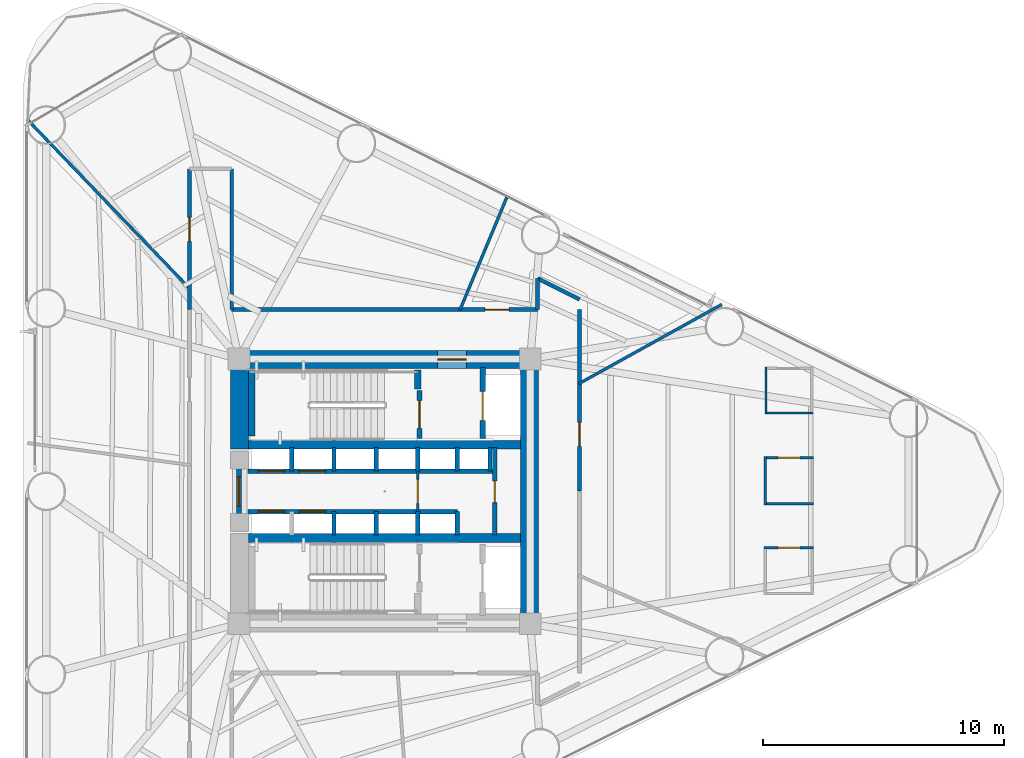
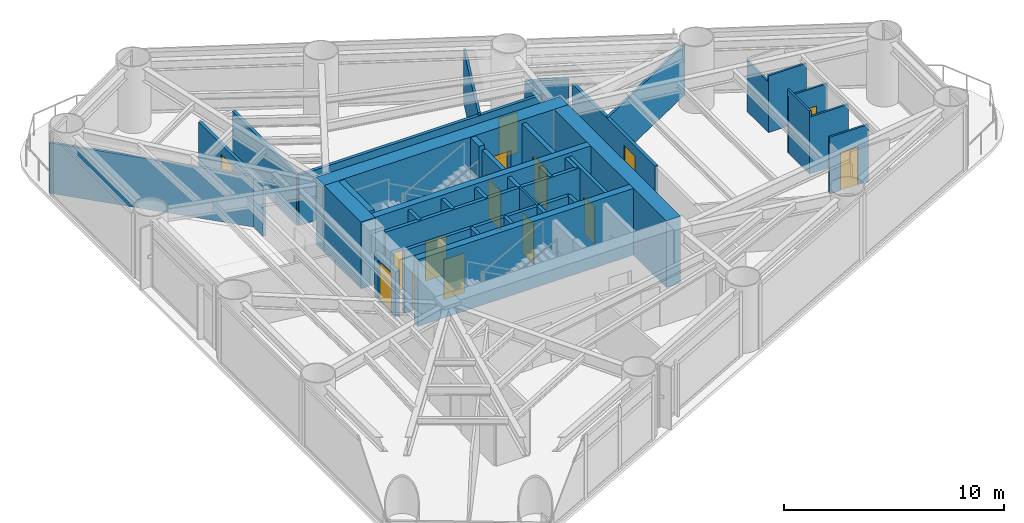
# One storey, part 6 of 10: 39 walls, 15 doors, 15 openings.
"""IFC4 building model written with IfcOpenShell, lengths in metres."""

from ifc_helpers import new_model, si_unit, direction, frame, frame_2d, origin, place, context, subcontext, project, spatial, rectangle, extrude, material, layer, layer_set, type_object, element, fill, save


model = new_model("IFC4")

# Units and contexts
model_context = context("Model", 3, precision=1e-05, world=origin(), true_north=direction((0.0, 1.0)))
body_context = subcontext(model_context, "Body", "Model", "MODEL_VIEW")
ifc_project = project(units=[si_unit("LENGTHUNIT", "METRE"), si_unit("AREAUNIT", "SQUARE_METRE"), si_unit("VOLUMEUNIT", "CUBIC_METRE"), si_unit("PLANEANGLEUNIT", "RADIAN"), si_unit("MASSUNIT", "GRAM", prefix="KILO")], contexts=[model_context])

# Site, building, storey
site_placement = place(None, origin())
site = spatial("IfcSite", under=ifc_project, at=site_placement, CompositionType="ELEMENT")
building_placement = place(site_placement, origin())
building = spatial("IfcBuilding", under=site, at=building_placement, Name="Yunling Apex Tower", CompositionType="ELEMENT")
storey_placement = place(building_placement, frame((0.0, 0.0, 31.199951171875)))
storey = spatial("IfcBuildingStorey", under=building, at=storey_placement, Name="L09", CompositionType="ELEMENT", Elevation=31.199951171875)

# Wall, opening, door
ifc_material_1 = material(Name="Concrete C60", Category="concrete")
ifc_layer_1 = layer(ifc_material_1, 0.75)
ifc_layer_set_1 = layer_set([ifc_layer_1], Name="Concrete C60")
wall_type_1 = type_object("IfcWallType", Name="WL-COR-1", PredefinedType="SHEAR", material=ifc_layer_set_1)
wall_1_placement = place(storey_placement, frame((-6.39990234375, 5.47509765625, 0.0), z_axis=(0.0, 0.0, 1.0), x_axis=(1.0, 0.0, 0.0)))
wall_1 = element("IfcWall", 1, at=wall_1_placement, inside=storey, type_object=wall_type_1, Name="L09 North Core Shear Wall", PredefinedType="SHEAR", context=body_context, shape_type="SweptSolid", body=[
    extrude(rectangle(XDim=12.7998046875, YDim=0.75, at=frame_2d((6.39990234375, 0.0))), origin(), (0.0, 0.0, 1.0), 3.699951171875),
])
opening_1_placement = place(wall_1_placement, frame((8.60009765625, 0.0, 0.0)))
opening_1 = element("IfcOpeningElement", 2, at=opening_1_placement, cuts=wall_1, Name="Opening DR-FFL-1", PredefinedType="OPENING", context=body_context, shape_type="SweptSolid", body=[
    extrude(rectangle(XDim=1.199951171875, YDim=2.199951171875, at=frame_2d((0.60009765625, 1.10009765625))), frame((0.0, 0.385009765625, 0.0), z_axis=(0.0, -1.0, 0.0), x_axis=(1.0, 0.0, 0.0)), (0.0, 0.0, 1.0), 0.77001953125),
])
ifc_material_2 = material(Name="Steel Q355B", Category="steel")
door_type_1 = type_object("IfcDoorType", Name="DR-FFL-1", OperationType="NOTDEFINED", PredefinedType="DOOR", material=ifc_material_2)
door_1_placement = place(opening_1_placement, origin())
door_1 = element("IfcDoor", 3, at=door_1_placement, inside=storey, type_object=door_type_1, Name="L09 North Firefighting Lobby Door", OperationType="SINGLE_SWING_LEFT", OverallHeight=2.199951171875, OverallWidth=1.199951171875, PredefinedType="DOOR", context=body_context, shape_type="SweptSolid", body=[
    extrude(rectangle(XDim=1.199951171875, YDim=2.199951171875, at=frame_2d((0.60009765625, 1.10009765625))), frame((0.0, 0.02490234375, 0.0), z_axis=(0.0, -1.0, 0.0), x_axis=(1.0, 0.0, 0.0)), (0.0, 0.0, 1.0), 0.050048828125),
])
fill(opening_1, door_1)

# Walls
wall_2_placement = place(storey_placement, frame((6.02490234375, -5.10009765625, 0.0), z_axis=(0.0, 0.0, 1.0), x_axis=(0.0, 1.0, 0.0)))
element("IfcWall", 4, at=wall_2_placement, inside=storey, type_object=wall_type_1, Name="L09 East Core Shear Wall", PredefinedType="SHEAR", context=body_context, shape_type="SweptSolid", body=[
    extrude(rectangle(XDim=10.2001953125, YDim=0.75, at=frame_2d((5.10009765625, 0.0))), origin(), (0.0, 0.0, 1.0), 3.699951171875),
])
wall_3_placement = place(storey_placement, frame((-6.02490234375, 1.75, 0.0), z_axis=(0.0, 0.0, 1.0), x_axis=(0.0, 1.0, 0.0)))
element("IfcWall", 5, at=wall_3_placement, inside=storey, type_object=wall_type_1, Name="L09 West-North Core Shear Wall", PredefinedType="SHEAR", context=body_context, shape_type="SweptSolid", body=[
    extrude(rectangle(XDim=3.35009765625, YDim=0.75, at=frame_2d((1.675048828125, 0.0))), origin(), (0.0, 0.0, 1.0), 3.699951171875),
])
ifc_material_3 = material(Name="Concrete C40", Category="concrete")
ifc_layer_2 = layer(ifc_material_3, 0.360107421875)
ifc_layer_set_2 = layer_set([ifc_layer_2], Name="Concrete C40")
wall_type_2 = type_object("IfcWallType", Name="WL-COR-4", PredefinedType="SHEAR", material=ifc_layer_set_2)
for number, where, z_axis, x_axis, name in (
    (6, (-5.64990234375, 1.93994140625, 0.0), (0.0, 0.0, 1.0), (1.0, 0.0, 0.0), "L09 North Internal Core Shear Wall"),
    (7, (-5.64990234375, -1.93994140625, 0.0), (0.0, 0.0, 1.0), (1.0, 0.0, 0.0), "L09 South Internal Core Shear Wall"),
):
    element("IfcWall", number, at=place(storey_placement, frame(where, z_axis=z_axis, x_axis=x_axis)), inside=storey, type_object=wall_type_2, Name=name, PredefinedType="SHEAR", context=body_context, shape_type="SweptSolid", body=[
        extrude(rectangle(XDim=11.2998046875, YDim=0.360107421875, at=frame_2d((5.64990234375, 0.0))), origin(), (0.0, 0.0, 1.0), 3.699951171875),
    ])
ifc_layer_3 = layer(ifc_material_3, 0.280029296875)
ifc_layer_set_3 = layer_set([ifc_layer_3], Name="Concrete C40")
wall_type_3 = type_object("IfcWallType", Name="WL-COR-8", PredefinedType="SHEAR", material=ifc_layer_set_3)
wall_4_placement = place(storey_placement, frame((-5.52001953125, 2.300048828125, 0.0), z_axis=(0.0, 0.0, 1.0), x_axis=(0.0, 1.0, 0.0)))
element("IfcWall", 8, at=wall_4_placement, inside=storey, type_object=wall_type_3, Name="L09 ST-1 West Landing Bearing Wall", PredefinedType="SHEAR", context=body_context, shape_type="SweptSolid", body=[
    extrude(rectangle(XDim=2.75, YDim=0.280029296875, at=frame_2d((1.375, 0.0))), origin(), (0.0, 0.0, 1.0), 3.699951171875),
])
wall_5_placement = place(storey_placement, frame((1.3798828125, 4.25, 0.0), z_axis=(0.0, 0.0, 1.0), x_axis=(0.0, 1.0, 0.0)))
element("IfcWall", 9, at=wall_5_placement, inside=storey, type_object=wall_type_3, Name="L09 ST-1 East Landing Bearing Pier", PredefinedType="SHEAR", context=body_context, shape_type="SweptSolid", body=[
    extrude(rectangle(XDim=0.800048828125, YDim=0.280029296875, at=frame_2d((0.39990234375, 0.0))), origin(), (0.0, 0.0, 1.0), 3.699951171875),
])

# Wall, opening, door
ifc_material_4 = material(Name="Gypsum board acoustic partition")
ifc_layer_4 = layer(ifc_material_4, 0.159912109375)
ifc_layer_set_4 = layer_set([ifc_layer_4], Name="Gypsum board acoustic partition")
wall_type_4 = type_object("IfcWallType", Name="WL-PRT-1", PredefinedType="PARTITIONING", material=ifc_layer_set_4)
wall_6_placement = place(storey_placement, frame((-8.10009765625, 7.550048828125, 0.0), z_axis=(0.0, 0.0, 1.0), x_axis=(0.0, 1.0, 0.0)))
wall_6 = element("IfcWall", 10, at=wall_6_placement, inside=storey, type_object=wall_type_4, Name="WL-CORR-L09-06", PredefinedType="PARTITIONING", context=body_context, shape_type="SweptSolid", body=[
    extrude(rectangle(XDim=5.849853515625, YDim=0.159912109375, at=frame_2d((2.9248046875, 0.0))), origin(), (0.0, 0.0, 1.0), 2.800048828125),
])
opening_2_placement = place(wall_6_placement, frame((2.830078125, 0.0, 0.0)))
opening_2 = element("IfcOpeningElement", 11, at=opening_2_placement, cuts=wall_6, Name="Opening DR-OFF-1", PredefinedType="OPENING", context=body_context, shape_type="SweptSolid", body=[
    extrude(rectangle(XDim=1.0, YDim=2.25, at=frame_2d((0.5, 1.125))), frame((0.0, 0.08984375, 0.0), z_axis=(0.0, -1.0, 0.0), x_axis=(1.0, 0.0, 0.0)), (0.0, 0.0, 1.0), 0.179931640625),
])
ifc_material_5 = material(Name="Bronze anodised aluminium", Category="aluminium")
door_type_2 = type_object("IfcDoorType", Name="DR-OFF-1", OperationType="NOTDEFINED", PredefinedType="DOOR", material=ifc_material_5)
door_2_placement = place(opening_2_placement, origin())
door_2 = element("IfcDoor", 12, at=door_2_placement, inside=storey, type_object=door_type_2, Name="L09 Staff Fitness Club Door", OperationType="SINGLE_SWING_RIGHT", OverallHeight=2.25, OverallWidth=1.0, PredefinedType="DOOR", context=body_context, shape_type="SweptSolid", body=[
    extrude(rectangle(XDim=1.0, YDim=2.25, at=frame_2d((0.5, 1.125))), frame((0.0, 0.02490234375, 0.0), z_axis=(0.0, -1.0, 0.0), x_axis=(1.0, 0.0, 0.0)), (0.0, 0.0, 1.0), 0.050048828125),
])
fill(opening_2, door_2)

# Wall
wall_7_placement = place(storey_placement, frame((-6.35009765625, 13.39990234375, 0.0), z_axis=(0.0, 0.0, 1.0), x_axis=(0.0, -1.0, 0.0)))
element("IfcWall", 13, at=wall_7_placement, inside=storey, type_object=wall_type_4, Name="WL-CORR-L09-08", PredefinedType="PARTITIONING", context=body_context, shape_type="SweptSolid", body=[
    extrude(rectangle(XDim=5.849853515625, YDim=0.159912109375, at=frame_2d((2.9248046875, 0.0))), origin(), (0.0, 0.0, 1.0), 2.800048828125),
])

# Wall, opening, door
wall_8_placement = place(storey_placement, frame((-6.35009765625, 7.550048828125, 0.0), z_axis=(0.0, 0.0, 1.0), x_axis=(1.0, 0.0, 0.0)))
wall_8 = element("IfcWall", 14, at=wall_8_placement, inside=storey, type_object=wall_type_4, Name="WL-CORR-L09-09", PredefinedType="PARTITIONING", context=body_context, shape_type="SweptSolid", body=[
    extrude(rectangle(XDim=12.7001953125, YDim=0.159912109375, at=frame_2d((6.35009765625, 0.0))), origin(), (0.0, 0.0, 1.0), 2.800048828125),
])
opening_3_placement = place(wall_8_placement, frame((10.52001953125, 0.0, 0.0)))
opening_3 = element("IfcOpeningElement", 15, at=opening_3_placement, cuts=wall_8, Name="Opening DR-OFF-1", PredefinedType="OPENING", context=body_context, shape_type="SweptSolid", body=[
    extrude(rectangle(XDim=1.0, YDim=2.25, at=frame_2d((0.5, 1.125))), frame((0.0, 0.08984375, 0.0), z_axis=(0.0, -1.0, 0.0), x_axis=(1.0, 0.0, 0.0)), (0.0, 0.0, 1.0), 0.179931640625),
])
door_3_placement = place(opening_3_placement, origin())
door_3 = element("IfcDoor", 16, at=door_3_placement, inside=storey, type_object=door_type_2, Name="L09 Document Archive Store Door", OperationType="SINGLE_SWING_LEFT", OverallHeight=2.25, OverallWidth=1.0, PredefinedType="DOOR", context=body_context, shape_type="SweptSolid", body=[
    extrude(rectangle(XDim=1.0, YDim=2.25, at=frame_2d((0.5, 1.125))), frame((0.0, 0.02490234375, 0.0), z_axis=(0.0, -1.0, 0.0), x_axis=(1.0, 0.0, 0.0)), (0.0, 0.0, 1.0), 0.050048828125),
])
fill(opening_3, door_3)

# Walls
wall_9_placement = place(storey_placement, frame((6.35009765625, 7.550048828125, 0.0), z_axis=(0.0, 0.0, 1.0), x_axis=(0.0, 1.0, 0.0)))
element("IfcWall", 17, at=wall_9_placement, inside=storey, type_object=wall_type_4, Name="WL-CORR-L09-10", PredefinedType="PARTITIONING", context=body_context, shape_type="SweptSolid", body=[
    extrude(rectangle(XDim=1.296142578125, YDim=0.159912109375, at=frame_2d((0.64794921875, 0.0))), origin(), (0.0, 0.0, 1.0), 2.800048828125),
])
wall_10_placement = place(storey_placement, frame((6.35009765625, 8.84619140625, 0.0), z_axis=(0.0, 0.0, 1.0), x_axis=(0.89527489017, -0.445514164793, 0.0)))
element("IfcWall", 18, at=wall_10_placement, inside=storey, type_object=wall_type_4, Name="WL-CORR-L09-11", PredefinedType="PARTITIONING", context=body_context, shape_type="SweptSolid", body=[
    extrude(rectangle(XDim=1.95458984375, YDim=0.159912109375, at=frame_2d((0.977294921875, 0.0))), origin(), (0.0, 0.0, 1.0), 2.800048828125),
])

# Wall, opening, door
wall_11_placement = place(storey_placement, frame((8.10009765625, 7.550048828125, 0.0), z_axis=(0.0, 0.0, 1.0), x_axis=(0.0, -1.0, 0.0)))
wall_11 = element("IfcWall", 19, at=wall_11_placement, inside=storey, type_object=wall_type_4, Name="WL-CORR-L09-13", PredefinedType="PARTITIONING", context=body_context, shape_type="SweptSolid", body=[
    extrude(rectangle(XDim=7.530029296875, YDim=0.159912109375, at=frame_2d((3.76513671875, 0.0))), origin(), (0.0, 0.0, 1.0), 2.800048828125),
])
opening_4_placement = place(wall_11_placement, frame((4.6806640625, 0.0, 0.0)))
opening_4 = element("IfcOpeningElement", 20, at=opening_4_placement, cuts=wall_11, Name="Opening DR-OFF-1", PredefinedType="OPENING", context=body_context, shape_type="SweptSolid", body=[
    extrude(rectangle(XDim=1.0, YDim=2.25, at=frame_2d((0.5, 1.125))), frame((0.0, 0.08984375, 0.0), z_axis=(0.0, -1.0, 0.0), x_axis=(1.0, 0.0, 0.0)), (0.0, 0.0, 1.0), 0.179931640625),
])
door_4_placement = place(opening_4_placement, origin())
door_4 = element("IfcDoor", 21, at=door_4_placement, inside=storey, type_object=door_type_2, Name="L09 Service Foyer Lounge Door", OperationType="SINGLE_SWING_RIGHT", OverallHeight=2.25, OverallWidth=1.0, PredefinedType="DOOR", context=body_context, shape_type="SweptSolid", body=[
    extrude(rectangle(XDim=1.0, YDim=2.25, at=frame_2d((0.5, 1.125))), frame((0.0, 0.02490234375, 0.0), z_axis=(0.0, -1.0, 0.0), x_axis=(1.0, 0.0, 0.0)), (0.0, 0.0, 1.0), 0.050048828125),
])
fill(opening_4, door_4)

# Walls
ifc_layer_5 = layer(ifc_material_4, 0.1201171875)
ifc_layer_set_5 = layer_set([ifc_layer_5], Name="Gypsum board acoustic partition")
wall_type_5 = type_object("IfcWallType", Name="WL-PRT-3", PredefinedType="PARTITIONING", material=ifc_layer_set_5)
wall_12_placement = place(storey_placement, frame((8.06005859375, 4.4677734375, 0.0), z_axis=(0.0, 0.0, 1.0), x_axis=(0.874622878111, 0.484803899618, 0.0)))
element("IfcWall", 22, at=wall_12_placement, inside=storey, type_object=wall_type_5, Name="WL-RAD-L09-01", PredefinedType="PARTITIONING", context=body_context, shape_type="SweptSolid", body=[
    extrude(rectangle(XDim=6.7958984375, YDim=0.1201171875, at=frame_2d((3.39794921875, 0.0))), origin(), (0.0, 0.0, 1.0), 2.800048828125),
])
wall_13_placement = place(storey_placement, frame((3.12158203125, 7.510009765625, 0.0), z_axis=(0.0, 0.0, 1.0), x_axis=(0.383885926118, 0.923380525963, 0.0)))
element("IfcWall", 23, at=wall_13_placement, inside=storey, type_object=wall_type_5, Name="WL-RAD-L09-02", PredefinedType="PARTITIONING", context=body_context, shape_type="SweptSolid", body=[
    extrude(rectangle(XDim=5.08642578125, YDim=0.1201171875, at=frame_2d((2.543212890625, 0.0))), origin(), (0.0, 0.0, 1.0), 2.9599609375),
])
wall_14_placement = place(storey_placement, frame((-8.06005859375, 8.38818359375, 0.0), z_axis=(0.0, 0.0, 1.0), x_axis=(-0.692869708489, 0.721062803823, 0.0)))
element("IfcWall", 24, at=wall_14_placement, inside=storey, type_object=wall_type_5, Name="WL-RAD-L09-03", PredefinedType="PARTITIONING", context=body_context, shape_type="SweptSolid", body=[
    extrude(rectangle(XDim=9.75927734375, YDim=0.1201171875, at=frame_2d((4.879638671875, 0.0))), origin(), (0.0, 0.0, 1.0), 2.800048828125),
])

# Wall, opening, door
ifc_layer_6 = layer(ifc_material_4, 0.10009765625)
ifc_layer_set_6 = layer_set([ifc_layer_6], Name="Gypsum board acoustic partition")
wall_type_6 = type_object("IfcWallType", Name="WL-PRT-4", PredefinedType="PARTITIONING", material=ifc_layer_set_6)
wall_15_placement = place(storey_placement, frame((1.3798828125, -0.840087890625, 0.0), z_axis=(0.0, 0.0, 1.0), x_axis=(0.0, 1.0, 0.0)))
wall_15 = element("IfcWall", 25, at=wall_15_placement, inside=storey, type_object=wall_type_6, Name="WL-LOB-MID-L09", PredefinedType="PARTITIONING", context=body_context, shape_type="SweptSolid", body=[
    extrude(rectangle(XDim=1.68017578125, YDim=0.10009765625, at=frame_2d((0.840087890625, 0.0))), origin(), (0.0, 0.0, 1.0), 3.4951171875),
])
opening_5_placement = place(wall_15_placement, frame((0.340087890625, 0.0, 0.0)))
opening_5 = element("IfcOpeningElement", 26, at=opening_5_placement, cuts=wall_15, Name="Opening DR-OFF-1", PredefinedType="OPENING", context=body_context, shape_type="SweptSolid", body=[
    extrude(rectangle(XDim=1.0, YDim=2.25, at=frame_2d((0.5, 1.125))), frame((0.0, 0.06005859375, 0.0), z_axis=(0.0, -1.0, 0.0), x_axis=(1.0, 0.0, 0.0)), (0.0, 0.0, 1.0), 0.1201171875),
])
door_5_placement = place(opening_5_placement, origin())
door_5 = element("IfcDoor", 27, at=door_5_placement, inside=storey, type_object=door_type_2, Name="L09 Core Lobby Link Door", OperationType="SINGLE_SWING_LEFT", OverallHeight=2.25, OverallWidth=1.0, PredefinedType="DOOR", context=body_context, shape_type="SweptSolid", body=[
    extrude(rectangle(XDim=1.0, YDim=2.25, at=frame_2d((0.5, 1.125))), frame((0.0, 0.02490234375, 0.0), z_axis=(0.0, -1.0, 0.0), x_axis=(1.0, 0.0, 0.0)), (0.0, 0.0, 1.0), 0.050048828125),
])
fill(opening_5, door_5)

wall_16_placement = place(storey_placement, frame((15.77001953125, 1.39306640625, 0.0), z_axis=(0.0, 0.0, 1.0), x_axis=(1.0, 0.0, 0.0)))
wall_16 = element("IfcWall", 28, at=wall_16_placement, inside=storey, type_object=wall_type_6, Name="WL-L09-WCMN", PredefinedType="PARTITIONING", context=body_context, shape_type="SweptSolid", body=[
    extrude(rectangle(XDim=2.050048828125, YDim=0.10009765625, at=frame_2d((1.02490234375, 0.0))), origin(), (0.0, 0.0, 1.0), 3.150146484375),
])
opening_6_placement = place(wall_16_placement, frame((0.56494140625, 0.0, 0.0)))
opening_6 = element("IfcOpeningElement", 29, at=opening_6_placement, cuts=wall_16, Name="Opening DR-WC-1", PredefinedType="OPENING", context=body_context, shape_type="SweptSolid", body=[
    extrude(rectangle(XDim=0.919921875, YDim=2.10009765625, at=frame_2d((0.4599609375, 1.050048828125))), frame((0.0, 0.06005859375, 0.0), z_axis=(0.0, -1.0, 0.0), x_axis=(1.0, 0.0, 0.0)), (0.0, 0.0, 1.0), 0.1201171875),
])
ifc_material_6 = material(Name="Timber moisture-resistant leaf", Category="wood")
door_type_3 = type_object("IfcDoorType", Name="DR-WC-1", OperationType="NOTDEFINED", PredefinedType="DOOR", material=ifc_material_6)
door_6_placement = place(opening_6_placement, origin())
door_6 = element("IfcDoor", 30, at=door_6_placement, inside=storey, type_object=door_type_3, Name="L09 Male Toilet Door", OperationType="SINGLE_SWING_LEFT", OverallHeight=2.10009765625, OverallWidth=0.919921875, PredefinedType="DOOR", context=body_context, shape_type="SweptSolid", body=[
    extrude(rectangle(XDim=0.919921875, YDim=2.10009765625, at=frame_2d((0.4599609375, 1.050048828125))), frame((0.0, 0.02490234375, 0.0), z_axis=(0.0, -1.0, 0.0), x_axis=(1.0, 0.0, 0.0)), (0.0, 0.0, 1.0), 0.050048828125),
])
fill(opening_6, door_6)

# Walls
wall_17_placement = place(storey_placement, frame((17.820068359375, -0.507080078125, 0.0), z_axis=(0.0, 0.0, 1.0), x_axis=(-1.0, 0.0, 0.0)))
element("IfcWall", 31, at=wall_17_placement, inside=storey, type_object=wall_type_6, Name="WL-L09-WCMS", PredefinedType="PARTITIONING", context=body_context, shape_type="SweptSolid", body=[
    extrude(rectangle(XDim=2.050048828125, YDim=0.10009765625, at=frame_2d((1.02490234375, 0.0))), origin(), (0.0, 0.0, 1.0), 3.150146484375),
])
wall_18_placement = place(storey_placement, frame((15.820068359375, -0.556884765625, 0.0), z_axis=(0.0, 0.0, 1.0), x_axis=(0.0, 1.0, 0.0)))
element("IfcWall", 32, at=wall_18_placement, inside=storey, type_object=wall_type_6, Name="WL-L09-WCMW", PredefinedType="PARTITIONING", context=body_context, shape_type="SweptSolid", body=[
    extrude(rectangle(XDim=2.0, YDim=0.10009765625, at=frame_2d((1.0, 0.0))), origin(), (0.0, 0.0, 1.0), 3.4951171875),
])

# Wall, opening, door
wall_19_placement = place(storey_placement, frame((15.77001953125, -2.343994140625, 0.0), z_axis=(0.0, 0.0, 1.0), x_axis=(1.0, 0.0, 0.0)))
wall_19 = element("IfcWall", 33, at=wall_19_placement, inside=storey, type_object=wall_type_6, Name="WL-L09-WCFN", PredefinedType="PARTITIONING", context=body_context, shape_type="SweptSolid", body=[
    extrude(rectangle(XDim=2.050048828125, YDim=0.10009765625, at=frame_2d((1.02490234375, 0.0))), origin(), (0.0, 0.0, 1.0), 3.150146484375),
])
opening_7_placement = place(wall_19_placement, frame((0.56494140625, 0.0, 0.0)))
opening_7 = element("IfcOpeningElement", 34, at=opening_7_placement, cuts=wall_19, Name="Opening DR-WC-1", PredefinedType="OPENING", context=body_context, shape_type="SweptSolid", body=[
    extrude(rectangle(XDim=0.919921875, YDim=2.10009765625, at=frame_2d((0.4599609375, 1.050048828125))), frame((0.0, 0.06005859375, 0.0), z_axis=(0.0, -1.0, 0.0), x_axis=(1.0, 0.0, 0.0)), (0.0, 0.0, 1.0), 0.1201171875),
])
door_7_placement = place(opening_7_placement, origin())
door_7 = element("IfcDoor", 35, at=door_7_placement, inside=storey, type_object=door_type_3, Name="L09 Female Toilet Door", OperationType="SINGLE_SWING_RIGHT", OverallHeight=2.10009765625, OverallWidth=0.919921875, PredefinedType="DOOR", context=body_context, shape_type="SweptSolid", body=[
    extrude(rectangle(XDim=0.919921875, YDim=2.10009765625, at=frame_2d((0.4599609375, 1.050048828125))), frame((0.0, 0.02490234375, 0.0), z_axis=(0.0, -1.0, 0.0), x_axis=(1.0, 0.0, 0.0)), (0.0, 0.0, 1.0), 0.050048828125),
])
fill(opening_7, door_7)

# Walls
wall_20_placement = place(storey_placement, frame((17.794921875, 3.256103515625, 0.0), z_axis=(0.0, 0.0, 1.0), x_axis=(-1.0, 0.0, 0.0)))
element("IfcWall", 36, at=wall_20_placement, inside=storey, type_object=wall_type_6, Name="WL-L09-WCAS", PredefinedType="PARTITIONING", context=body_context, shape_type="SweptSolid", body=[
    extrude(rectangle(XDim=2.0, YDim=0.10009765625, at=frame_2d((1.0, 0.0))), origin(), (0.0, 0.0, 1.0), 3.150146484375),
])
wall_21_placement = place(storey_placement, frame((15.844970703125, 3.2060546875, 0.0), z_axis=(0.0, 0.0, 1.0), x_axis=(0.0, 1.0, 0.0)))
element("IfcWall", 37, at=wall_21_placement, inside=storey, type_object=wall_type_6, Name="WL-L09-WCAW", PredefinedType="PARTITIONING", context=body_context, shape_type="SweptSolid", body=[
    extrude(rectangle(XDim=1.949951171875, YDim=0.10009765625, at=frame_2d((0.97509765625, 0.0))), origin(), (0.0, 0.0, 1.0), 2.800048828125),
])

# Wall, opening, door
ifc_material_7 = material(Name="Autoclaved aerated concrete masonry", Category="masonry")
ifc_layer_7 = layer(ifc_material_7, 0.219970703125)
ifc_layer_set_7 = layer_set([ifc_layer_7], Name="Autoclaved aerated concrete masonry")
wall_type_7 = type_object("IfcWallType", Name="WL-SHF-1", PredefinedType="PLUMBINGWALL", material=ifc_layer_set_7)
wall_22_placement = place(storey_placement, frame((-6.050048828125, -0.949951171875, 0.0), z_axis=(0.0, 0.0, 1.0), x_axis=(0.0, 1.0, 0.0)))
wall_22 = element("IfcWall", 38, at=wall_22_placement, inside=storey, type_object=wall_type_7, Name="WL-COR-WPORT-L09", PredefinedType="PLUMBINGWALL", context=body_context, shape_type="SweptSolid", body=[
    extrude(rectangle(XDim=1.89990234375, YDim=0.219970703125, at=frame_2d((0.949951171875, 0.0))), origin(), (0.0, 0.0, 1.0), 2.47509765625),
])
opening_8_placement = place(wall_22_placement, frame((0.35009765625, 0.0, 0.0)))
opening_8 = element("IfcOpeningElement", 39, at=opening_8_placement, cuts=wall_22, Name="Opening DR-FFL-1", PredefinedType="OPENING", context=body_context, shape_type="SweptSolid", body=[
    extrude(rectangle(XDim=1.199951171875, YDim=2.199951171875, at=frame_2d((0.60009765625, 1.10009765625))), frame((0.0, 0.1201171875, 0.0), z_axis=(0.0, -1.0, 0.0), x_axis=(1.0, 0.0, 0.0)), (0.0, 0.0, 1.0), 0.239990234375),
])
door_8_placement = place(opening_8_placement, origin())
door_8 = element("IfcDoor", 40, at=door_8_placement, inside=storey, type_object=door_type_1, Name="L09 Passenger Lift Lobby Entrance Door", OperationType="SINGLE_SWING_LEFT", OverallHeight=2.199951171875, OverallWidth=1.199951171875, PredefinedType="DOOR", context=body_context, shape_type="SweptSolid", body=[
    extrude(rectangle(XDim=1.199951171875, YDim=2.199951171875, at=frame_2d((0.60009765625, 1.10009765625))), frame((0.0, 0.02490234375, 0.0), z_axis=(0.0, -1.0, 0.0), x_axis=(1.0, 0.0, 0.0)), (0.0, 0.0, 1.0), 0.050048828125),
])
fill(opening_8, door_8)

wall_23_placement = place(storey_placement, frame((1.449951171875, 2.199951171875, 0.0), z_axis=(0.0, 0.0, 1.0), x_axis=(0.0, 1.0, 0.0)))
wall_23 = element("IfcWall", 41, at=wall_23_placement, inside=storey, type_object=wall_type_7, Name="WL-ST1-E-L09", PredefinedType="PLUMBINGWALL", context=body_context, shape_type="SweptSolid", body=[
    extrude(rectangle(XDim=1.97998046875, YDim=0.219970703125, at=frame_2d((0.989990234375, 0.0))), origin(), (0.0, 0.0, 1.0), 3.4951171875),
])
opening_9_placement = place(wall_23_placement, frame((0.419921875, 0.0, 0.0)))
opening_9 = element("IfcOpeningElement", 42, at=opening_9_placement, cuts=wall_23, Name="Opening DR-ST-1", PredefinedType="OPENING", context=body_context, shape_type="SweptSolid", body=[
    extrude(rectangle(XDim=1.14990234375, YDim=2.14990234375, at=frame_2d((0.574951171875, 1.074951171875))), frame((0.0, 0.1201171875, 0.0), z_axis=(0.0, -1.0, 0.0), x_axis=(1.0, 0.0, 0.0)), (0.0, 0.0, 1.0), 0.239990234375),
])
door_type_4 = type_object("IfcDoorType", Name="DR-ST-1", OperationType="NOTDEFINED", PredefinedType="DOOR", material=ifc_material_2)
door_9_placement = place(opening_9_placement, origin())
door_9 = element("IfcDoor", 43, at=door_9_placement, inside=storey, type_object=door_type_4, Name="L09 Stair ST-1 Fire Door", OperationType="SINGLE_SWING_LEFT", OverallHeight=2.14990234375, OverallWidth=1.14990234375, PredefinedType="DOOR", context=body_context, shape_type="SweptSolid", body=[
    extrude(rectangle(XDim=1.14990234375, YDim=2.14990234375, at=frame_2d((0.574951171875, 1.074951171875))), frame((0.0, 0.02490234375, 0.0), z_axis=(0.0, -1.0, 0.0), x_axis=(1.0, 0.0, 0.0)), (0.0, 0.0, 1.0), 0.050048828125),
])
fill(opening_9, door_9)

wall_24_placement = place(storey_placement, frame((4.080078125, 2.199951171875, 0.0), z_axis=(0.0, 0.0, 1.0), x_axis=(0.0, 1.0, 0.0)))
wall_24 = element("IfcWall", 44, at=wall_24_placement, inside=storey, type_object=wall_type_7, Name="WL-FFL1-W-L09", PredefinedType="PLUMBINGWALL", context=body_context, shape_type="SweptSolid", body=[
    extrude(rectangle(XDim=2.949951171875, YDim=0.219970703125, at=frame_2d((1.47509765625, 0.0))), origin(), (0.0, 0.0, 1.0), 3.4951171875),
])
opening_10_placement = place(wall_24_placement, frame((0.75, 0.0, 0.0)))
opening_10 = element("IfcOpeningElement", 45, at=opening_10_placement, cuts=wall_24, Name="Opening LD-FFL-1", PredefinedType="OPENING", context=body_context, shape_type="SweptSolid", body=[
    extrude(rectangle(XDim=1.199951171875, YDim=2.25, at=frame_2d((0.60009765625, 1.125))), frame((0.0, 0.1201171875, 0.0), z_axis=(0.0, -1.0, 0.0), x_axis=(1.0, 0.0, 0.0)), (0.0, 0.0, 1.0), 0.239990234375),
])
door_type_5 = type_object("IfcDoorType", Name="LD-FFL-1", OperationType="DOUBLE_DOOR_SLIDING", PredefinedType="DOOR", material=ifc_material_2)
door_10_placement = place(opening_10_placement, origin())
door_10 = element("IfcDoor", 46, at=door_10_placement, inside=storey, type_object=door_type_5, Name="L09 Lift FFL-1 Landing Door", OperationType="DOUBLE_DOOR_SLIDING", OverallHeight=2.25, OverallWidth=1.199951171875, PredefinedType="DOOR", context=body_context, shape_type="SweptSolid", body=[
    extrude(rectangle(XDim=1.199951171875, YDim=2.25, at=frame_2d((0.60009765625, 1.125))), frame((0.0, 0.02490234375, 0.0), z_axis=(0.0, -1.0, 0.0), x_axis=(1.0, 0.0, 0.0)), (0.0, 0.0, 1.0), 0.050048828125),
])
fill(opening_10, door_10)

# Walls
ifc_layer_8 = layer(ifc_material_7, 0.179931640625)
ifc_layer_set_8 = layer_set([ifc_layer_8], Name="Autoclaved aerated concrete masonry")
wall_type_8 = type_object("IfcWallType", Name="WL-SHF-2", PredefinedType="PLUMBINGWALL", material=ifc_layer_set_8)
for number, where, z_axis, x_axis, name in (
    (47, (-3.85009765625, 0.840087890625, 0.0), (0.0, 0.0, 1.0), (0.0, 1.0, 0.0), "WL-DIV-L12-L09"),
    (48, (-2.10009765625, 0.840087890625, 0.0), (0.0, 0.0, 1.0), (0.0, 1.0, 0.0), "WL-BNK-LM-N-L09"),
    (49, (-2.10009765625, -1.820068359375, 0.0), (0.0, 0.0, 1.0), (0.0, 1.0, 0.0), "WL-BNK-LM-S-L09"),
    (50, (-0.35009765625, 0.840087890625, 0.0), (0.0, 0.0, 1.0), (0.0, 1.0, 0.0), "WL-DIV-M12-L09"),
    (51, (-0.35009765625, -1.820068359375, 0.0), (0.0, 0.0, 1.0), (0.0, 1.0, 0.0), "WL-DIV-M34-L09"),
    (52, (1.3798828125, 0.840087890625, 0.0), (0.0, 0.0, 1.0), (0.0, 1.0, 0.0), "WL-BNK-MH-N-L09"),
    (53, (1.3798828125, -1.820068359375, 0.0), (0.0, 0.0, 1.0), (0.0, 1.0, 0.0), "WL-BNK-MH-S-L09"),
    (54, (3.02001953125, 0.840087890625, 0.0), (0.0, 0.0, 1.0), (0.0, 1.0, 0.0), "WL-DIV-H13-L09"),
    (55, (4.3798828125, 0.840087890625, 0.0), (0.0, 0.0, 1.0), (0.0, 1.0, 0.0), "WL-END-H3E-L09"),
    (56, (3.02001953125, -1.820068359375, 0.0), (0.0, 0.0, 1.0), (0.0, 1.0, 0.0), "WL-END-H2E-L09"),
):
    element("IfcWall", number, at=place(storey_placement, frame(where, z_axis=z_axis, x_axis=x_axis)), inside=storey, type_object=wall_type_8, Name=name, PredefinedType="PLUMBINGWALL", context=body_context, shape_type="SweptSolid", body=[
        extrude(rectangle(XDim=0.97998046875, YDim=0.179931640625, at=frame_2d((0.489990234375, 0.0))), origin(), (0.0, 0.0, 1.0), 3.4951171875),
    ])

# Wall, opening, door
wall_25_placement = place(storey_placement, frame((4.580078125, -1.820068359375, 0.0), z_axis=(0.0, 0.0, 1.0), x_axis=(0.0, 1.0, 0.0)))
wall_25 = element("IfcWall", 57, at=wall_25_placement, inside=storey, type_object=wall_type_8, Name="WL-KBE-W-L09", PredefinedType="PLUMBINGWALL", context=body_context, shape_type="SweptSolid", body=[
    extrude(rectangle(XDim=3.64013671875, YDim=0.179931640625, at=frame_2d((1.820068359375, 0.0))), origin(), (0.0, 0.0, 1.0), 3.4951171875),
])
opening_11_placement = place(wall_25_placement, frame((1.35009765625, 0.0, 0.0)))
opening_11 = element("IfcOpeningElement", 58, at=opening_11_placement, cuts=wall_25, Name="Opening DR-SHF-1", PredefinedType="OPENING", context=body_context, shape_type="SweptSolid", body=[
    extrude(rectangle(XDim=0.89990234375, YDim=2.050048828125, at=frame_2d((0.449951171875, 1.02490234375))), frame((0.0, 0.10009765625, 0.0), z_axis=(0.0, -1.0, 0.0), x_axis=(1.0, 0.0, 0.0)), (0.0, 0.0, 1.0), 0.199951171875),
])
door_type_6 = type_object("IfcDoorType", Name="DR-SHF-1", OperationType="NOTDEFINED", PredefinedType="DOOR", material=ifc_material_2)
door_11_placement = place(opening_11_placement, origin())
door_11 = element("IfcDoor", 59, at=door_11_placement, inside=storey, type_object=door_type_6, Name="L09 Core Meter Room Door", OperationType="SINGLE_SWING_RIGHT", OverallHeight=2.050048828125, OverallWidth=0.89990234375, PredefinedType="DOOR", context=body_context, shape_type="SweptSolid", body=[
    extrude(rectangle(XDim=0.89990234375, YDim=2.050048828125, at=frame_2d((0.449951171875, 1.02490234375))), frame((0.0, 0.02490234375, 0.0), z_axis=(0.0, -1.0, 0.0), x_axis=(1.0, 0.0, 0.0)), (0.0, 0.0, 1.0), 0.050048828125),
])
fill(opening_11, door_11)

# Wall, openings, doors
wall_26_placement = place(storey_placement, frame((-5.679931640625, 0.840087890625, 0.0), z_axis=(0.0, 0.0, 1.0), x_axis=(1.0, 0.0, 0.0)))
wall_26 = element("IfcWall", 60, at=wall_26_placement, inside=storey, type_object=wall_type_8, Name="WL-LOB-N-L09", PredefinedType="PLUMBINGWALL", context=body_context, shape_type="SweptSolid", body=[
    extrude(rectangle(XDim=10.260009765625, YDim=0.179931640625, at=frame_2d((5.1298828125, 0.0))), origin(), (0.0, 0.0, 1.0), 3.4951171875),
])
opening_12_placement = place(wall_26_placement, frame((0.429931640625, 0.0, 0.0)))
opening_12 = element("IfcOpeningElement", 61, at=opening_12_placement, cuts=wall_26, Name="Opening LD-PAS-1", PredefinedType="OPENING", context=body_context, shape_type="SweptSolid", body=[
    extrude(rectangle(XDim=1.10009765625, YDim=2.199951171875, at=frame_2d((0.550048828125, 1.10009765625))), frame((0.0, 0.10009765625, 0.0), z_axis=(0.0, -1.0, 0.0), x_axis=(1.0, 0.0, 0.0)), (0.0, 0.0, 1.0), 0.199951171875),
])
opening_13_placement = place(wall_26_placement, frame((2.1298828125, 0.0, 0.0)))
opening_13 = element("IfcOpeningElement", 62, at=opening_13_placement, cuts=wall_26, Name="Opening LD-PAS-1", PredefinedType="OPENING", context=body_context, shape_type="SweptSolid", body=[
    extrude(rectangle(XDim=1.10009765625, YDim=2.199951171875, at=frame_2d((0.550048828125, 1.10009765625))), frame((0.0, 0.10009765625, 0.0), z_axis=(0.0, -1.0, 0.0), x_axis=(1.0, 0.0, 0.0)), (0.0, 0.0, 1.0), 0.199951171875),
])
ifc_material_8 = material(Name="Silver anodised aluminium", Category="aluminium")
door_type_7 = type_object("IfcDoorType", Name="LD-PAS-1", OperationType="DOUBLE_DOOR_SLIDING", PredefinedType="DOOR", material=ifc_material_8)
door_12_placement = place(opening_12_placement, origin())
door_12 = element("IfcDoor", 63, at=door_12_placement, inside=storey, type_object=door_type_7, Name="L09 Lift PL-L1 Landing Door", OperationType="DOUBLE_DOOR_SLIDING", OverallHeight=2.199951171875, OverallWidth=1.10009765625, PredefinedType="DOOR", context=body_context, shape_type="SweptSolid", body=[
    extrude(rectangle(XDim=1.10009765625, YDim=2.199951171875, at=frame_2d((0.550048828125, 1.10009765625))), frame((0.0, 0.02490234375, 0.0), z_axis=(0.0, -1.0, 0.0), x_axis=(1.0, 0.0, 0.0)), (0.0, 0.0, 1.0), 0.050048828125),
])
fill(opening_12, door_12)
door_13_placement = place(opening_13_placement, origin())
door_13 = element("IfcDoor", 64, at=door_13_placement, inside=storey, type_object=door_type_7, Name="L09 Lift PL-L2 Landing Door", OperationType="DOUBLE_DOOR_SLIDING", OverallHeight=2.199951171875, OverallWidth=1.10009765625, PredefinedType="DOOR", context=body_context, shape_type="SweptSolid", body=[
    extrude(rectangle(XDim=1.10009765625, YDim=2.199951171875, at=frame_2d((0.550048828125, 1.10009765625))), frame((0.0, 0.02490234375, 0.0), z_axis=(0.0, -1.0, 0.0), x_axis=(1.0, 0.0, 0.0)), (0.0, 0.0, 1.0), 0.050048828125),
])
fill(opening_13, door_13)

wall_27_placement = place(storey_placement, frame((-5.679931640625, -0.840087890625, 0.0), z_axis=(0.0, 0.0, 1.0), x_axis=(1.0, 0.0, 0.0)))
wall_27 = element("IfcWall", 65, at=wall_27_placement, inside=storey, type_object=wall_type_8, Name="WL-LOB-S-L09", PredefinedType="PLUMBINGWALL", context=body_context, shape_type="SweptSolid", body=[
    extrude(rectangle(XDim=8.699951171875, YDim=0.179931640625, at=frame_2d((4.35009765625, 0.0))), origin(), (0.0, 0.0, 1.0), 3.4951171875),
])
opening_14_placement = place(wall_27_placement, frame((0.429931640625, 0.0, 0.0)))
opening_14 = element("IfcOpeningElement", 66, at=opening_14_placement, cuts=wall_27, Name="Opening LD-PAS-1", PredefinedType="OPENING", context=body_context, shape_type="SweptSolid", body=[
    extrude(rectangle(XDim=1.10009765625, YDim=2.199951171875, at=frame_2d((0.550048828125, 1.10009765625))), frame((0.0, 0.10009765625, 0.0), z_axis=(0.0, -1.0, 0.0), x_axis=(1.0, 0.0, 0.0)), (0.0, 0.0, 1.0), 0.199951171875),
])
opening_15_placement = place(wall_27_placement, frame((2.1298828125, 0.0, 0.0)))
opening_15 = element("IfcOpeningElement", 67, at=opening_15_placement, cuts=wall_27, Name="Opening LD-PAS-1", PredefinedType="OPENING", context=body_context, shape_type="SweptSolid", body=[
    extrude(rectangle(XDim=1.10009765625, YDim=2.199951171875, at=frame_2d((0.550048828125, 1.10009765625))), frame((0.0, 0.10009765625, 0.0), z_axis=(0.0, -1.0, 0.0), x_axis=(1.0, 0.0, 0.0)), (0.0, 0.0, 1.0), 0.199951171875),
])
door_14_placement = place(opening_14_placement, origin())
door_14 = element("IfcDoor", 68, at=door_14_placement, inside=storey, type_object=door_type_7, Name="L09 Lift PL-L3 Landing Door", OperationType="DOUBLE_DOOR_SLIDING", OverallHeight=2.199951171875, OverallWidth=1.10009765625, PredefinedType="DOOR", context=body_context, shape_type="SweptSolid", body=[
    extrude(rectangle(XDim=1.10009765625, YDim=2.199951171875, at=frame_2d((0.550048828125, 1.10009765625))), frame((0.0, 0.02490234375, 0.0), z_axis=(0.0, -1.0, 0.0), x_axis=(1.0, 0.0, 0.0)), (0.0, 0.0, 1.0), 0.050048828125),
])
fill(opening_14, door_14)
door_15_placement = place(opening_15_placement, origin())
door_15 = element("IfcDoor", 69, at=door_15_placement, inside=storey, type_object=door_type_7, Name="L09 Lift PL-L4 Landing Door", OperationType="DOUBLE_DOOR_SLIDING", OverallHeight=2.199951171875, OverallWidth=1.10009765625, PredefinedType="DOOR", context=body_context, shape_type="SweptSolid", body=[
    extrude(rectangle(XDim=1.10009765625, YDim=2.199951171875, at=frame_2d((0.550048828125, 1.10009765625))), frame((0.0, 0.02490234375, 0.0), z_axis=(0.0, -1.0, 0.0), x_axis=(1.0, 0.0, 0.0)), (0.0, 0.0, 1.0), 0.050048828125),
])
fill(opening_15, door_15)

save(model, "model.ifc")
